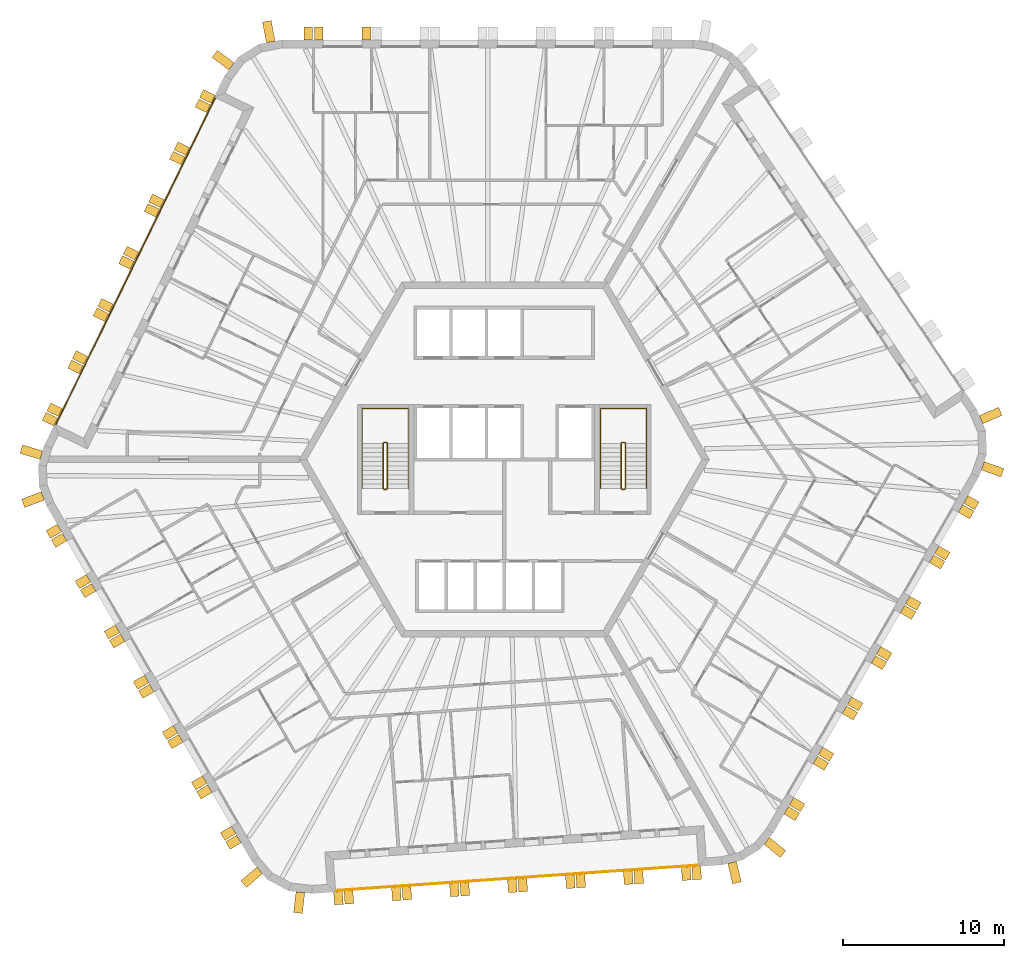
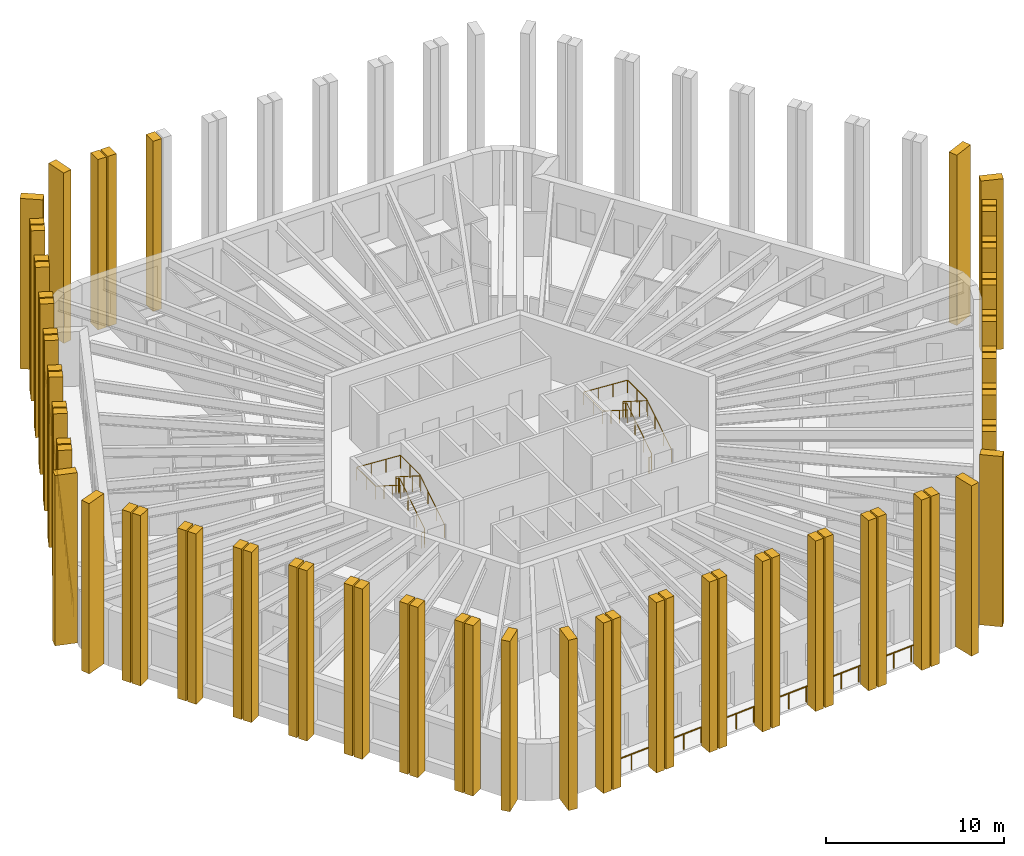
# One storey, part 12 of 13: 69 shading devices, 6 railings.
"""IFC4 building model written with IfcOpenShell, lengths in metres."""

from ifc_helpers import new_model, si_unit, direction, frame, origin, origin_2d, place, context, subcontext, project, spatial, polyline, circle, outline, extrude, material, layer, layer_set, type_object, element, save


model = new_model("IFC4")

# Units and contexts
model_context = context("Model", 3, precision=1e-05, world=origin(), true_north=direction((0.0, 1.0)))
body_context = subcontext(model_context, "Body", "Model", "MODEL_VIEW")
ifc_project = project(units=[si_unit("LENGTHUNIT", "METRE"), si_unit("AREAUNIT", "SQUARE_METRE"), si_unit("VOLUMEUNIT", "CUBIC_METRE"), si_unit("PLANEANGLEUNIT", "RADIAN"), si_unit("MASSUNIT", "GRAM", prefix="KILO")], contexts=[model_context])

# Site, building, storey
site_placement = place(None, origin())
site = spatial("IfcSite", under=ifc_project, at=site_placement, CompositionType="ELEMENT")
building_placement = place(site_placement, origin())
building = spatial("IfcBuilding", under=site, at=building_placement, Name="Tarnside Tower", CompositionType="ELEMENT")
storey_placement = place(building_placement, frame((0.0, 0.0, 279.60009765625)))
storey = spatial("IfcBuildingStorey", under=building, at=storey_placement, Name="L67", CompositionType="ELEMENT", Elevation=279.60009765625)

# Railings
ifc_material_1 = material(Name="Toughened glass", Category="glass")
railing_type_1 = type_object("IfcRailingType", Name="Glass guard 1100", PredefinedType="GUARDRAIL", material=ifc_material_1)
railing_1_placement = place(storey_placement, frame((-17.906005859375, 22.415283203125, 0.0)))
element("IfcRailing", 1, at=railing_1_placement, inside=storey, type_object=railing_type_1, Name="Loggia guard L67 F2", PredefinedType="GUARDRAIL", context=body_context, shape_type="SweptSolid", body=[
    extrude(circle(Radius=0.030029296875, at=origin_2d()), frame((0.0, 0.0, 1.070068359375), z_axis=(-0.438372639335, -0.898793318335, 0.0), x_axis=(0.898793318335, -0.438372639335, 0.0)), (0.0, 0.0, 1.0), 22.544921875),
    extrude(circle(Radius=0.02490234375, at=origin_2d()), origin(), (0.0, 0.0, 1.0), 1.0400390625),
    extrude(circle(Radius=0.02490234375, at=origin_2d()), frame((-0.520263671875, -1.06640625, 0.0)), (0.0, 0.0, 1.0), 1.0400390625),
    extrude(circle(Radius=0.02490234375, at=origin_2d()), frame((-1.040283203125, -2.133056640625, 0.0)), (0.0, 0.0, 1.0), 1.0400390625),
    extrude(circle(Radius=0.02490234375, at=origin_2d()), frame((-1.560546875, -3.199462890625, 0.0)), (0.0, 0.0, 1.0), 1.0400390625),
    extrude(circle(Radius=0.02490234375, at=origin_2d()), frame((-2.08056640625, -4.265869140625, 0.0)), (0.0, 0.0, 1.0), 1.0400390625),
    extrude(circle(Radius=0.02490234375, at=origin_2d()), frame((-2.600830078125, -5.33251953125, 0.0)), (0.0, 0.0, 1.0), 1.0400390625),
    extrude(circle(Radius=0.02490234375, at=origin_2d()), frame((-3.120849609375, -6.39892578125, 0.0)), (0.0, 0.0, 1.0), 1.0400390625),
    extrude(circle(Radius=0.02490234375, at=origin_2d()), frame((-3.64111328125, -7.46533203125, 0.0)), (0.0, 0.0, 1.0), 1.0400390625),
    extrude(circle(Radius=0.02490234375, at=origin_2d()), frame((-4.161376953125, -8.531982421875, 0.0)), (0.0, 0.0, 1.0), 1.0400390625),
    extrude(circle(Radius=0.02490234375, at=origin_2d()), frame((-4.681396484375, -9.598388671875, 0.0)), (0.0, 0.0, 1.0), 1.0400390625),
    extrude(circle(Radius=0.02490234375, at=origin_2d()), frame((-5.20166015625, -10.664794921875, 0.0)), (0.0, 0.0, 1.0), 1.0400390625),
    extrude(circle(Radius=0.02490234375, at=origin_2d()), frame((-5.7216796875, -11.731201171875, 0.0)), (0.0, 0.0, 1.0), 1.0400390625),
    extrude(circle(Radius=0.02490234375, at=origin_2d()), frame((-6.241943359375, -12.7978515625, 0.0)), (0.0, 0.0, 1.0), 1.0400390625),
    extrude(circle(Radius=0.02490234375, at=origin_2d()), frame((-6.76220703125, -13.8642578125, 0.0)), (0.0, 0.0, 1.0), 1.0400390625),
    extrude(circle(Radius=0.02490234375, at=origin_2d()), frame((-7.2822265625, -14.9306640625, 0.0)), (0.0, 0.0, 1.0), 1.0400390625),
    extrude(circle(Radius=0.02490234375, at=origin_2d()), frame((-7.802490234375, -15.997314453125, 0.0)), (0.0, 0.0, 1.0), 1.0400390625),
    extrude(circle(Radius=0.02490234375, at=origin_2d()), frame((-8.322509765625, -17.063720703125, 0.0)), (0.0, 0.0, 1.0), 1.0400390625),
    extrude(circle(Radius=0.02490234375, at=origin_2d()), frame((-8.8427734375, -18.130126953125, 0.0)), (0.0, 0.0, 1.0), 1.0400390625),
    extrude(circle(Radius=0.02490234375, at=origin_2d()), frame((-9.36279296875, -19.19677734375, 0.0)), (0.0, 0.0, 1.0), 1.0400390625),
    extrude(circle(Radius=0.02490234375, at=origin_2d()), frame((-9.883056640625, -20.26318359375, 0.0)), (0.0, 0.0, 1.0), 1.0400390625),
])
railing_2_placement = place(storey_placement, frame((-10.458984375, -26.714599609375, 0.0)))
element("IfcRailing", 2, at=railing_2_placement, inside=storey, type_object=railing_type_1, Name="Loggia guard L67 F4", PredefinedType="GUARDRAIL", context=body_context, shape_type="SweptSolid", body=[
    extrude(circle(Radius=0.030029296875, at=origin_2d()), frame((0.0, 0.0, 1.070068359375), z_axis=(0.997564440639, 0.069750890837, 0.0), x_axis=(-0.069750890837, 0.997564440639, 0.0)), (0.0, 0.0, 1.0), 22.544677734375),
    extrude(circle(Radius=0.02490234375, at=origin_2d()), origin(), (0.0, 0.0, 1.0), 1.0400390625),
    extrude(circle(Radius=0.02490234375, at=origin_2d()), frame((1.18359375, 0.082763671875, 0.0)), (0.0, 0.0, 1.0), 1.0400390625),
    extrude(circle(Radius=0.02490234375, at=origin_2d()), frame((2.367431640625, 0.16552734375, 0.0)), (0.0, 0.0, 1.0), 1.0400390625),
    extrude(circle(Radius=0.02490234375, at=origin_2d()), frame((3.551025390625, 0.248291015625, 0.0)), (0.0, 0.0, 1.0), 1.0400390625),
    extrude(circle(Radius=0.02490234375, at=origin_2d()), frame((4.734619140625, 0.3310546875, 0.0)), (0.0, 0.0, 1.0), 1.0400390625),
    extrude(circle(Radius=0.02490234375, at=origin_2d()), frame((5.91845703125, 0.413818359375, 0.0)), (0.0, 0.0, 1.0), 1.0400390625),
    extrude(circle(Radius=0.02490234375, at=origin_2d()), frame((7.10205078125, 0.49658203125, 0.0)), (0.0, 0.0, 1.0), 1.0400390625),
    extrude(circle(Radius=0.02490234375, at=origin_2d()), frame((8.28564453125, 0.579345703125, 0.0)), (0.0, 0.0, 1.0), 1.0400390625),
    extrude(circle(Radius=0.02490234375, at=origin_2d()), frame((9.469482421875, 0.662109375, 0.0)), (0.0, 0.0, 1.0), 1.0400390625),
    extrude(circle(Radius=0.02490234375, at=origin_2d()), frame((10.653076171875, 0.744873046875, 0.0)), (0.0, 0.0, 1.0), 1.0400390625),
    extrude(circle(Radius=0.02490234375, at=origin_2d()), frame((11.836669921875, 0.82763671875, 0.0)), (0.0, 0.0, 1.0), 1.0400390625),
    extrude(circle(Radius=0.02490234375, at=origin_2d()), frame((13.020263671875, 0.910400390625, 0.0)), (0.0, 0.0, 1.0), 1.0400390625),
    extrude(circle(Radius=0.02490234375, at=origin_2d()), frame((14.2041015625, 0.9931640625, 0.0)), (0.0, 0.0, 1.0), 1.0400390625),
    extrude(circle(Radius=0.02490234375, at=origin_2d()), frame((15.3876953125, 1.075927734375, 0.0)), (0.0, 0.0, 1.0), 1.0400390625),
    extrude(circle(Radius=0.02490234375, at=origin_2d()), frame((16.5712890625, 1.15869140625, 0.0)), (0.0, 0.0, 1.0), 1.0400390625),
    extrude(circle(Radius=0.02490234375, at=origin_2d()), frame((17.755126953125, 1.241455078125, 0.0)), (0.0, 0.0, 1.0), 1.0400390625),
    extrude(circle(Radius=0.02490234375, at=origin_2d()), frame((18.938720703125, 1.32421875, 0.0)), (0.0, 0.0, 1.0), 1.0400390625),
    extrude(circle(Radius=0.02490234375, at=origin_2d()), frame((20.122314453125, 1.406982421875, 0.0)), (0.0, 0.0, 1.0), 1.0400390625),
    extrude(circle(Radius=0.02490234375, at=origin_2d()), frame((21.30615234375, 1.48974609375, 0.0)), (0.0, 0.0, 1.0), 1.0400390625),
    extrude(circle(Radius=0.02490234375, at=origin_2d()), frame((22.48974609375, 1.572509765625, 0.0)), (0.0, 0.0, 1.0), 1.0400390625),
])

# Shading devices
ifc_material_2 = material(Name="Concrete C50/60 white precast", Category="concrete")
ifc_layer_1 = layer(ifc_material_2, 0.550048828125)
ifc_layer_set_1 = layer_set([ifc_layer_1], Name="Precast fin 550 x 1300")
shading_device_type_1 = type_object("IfcShadingDeviceType", Name="Precast fin 550 x 1300", PredefinedType="USERDEFINED", material=ifc_layer_set_1)
for number, where, z_axis, x_axis, name in (
    (3, (-14.4755859375, 25.8671875, -0.150146484375), (0.982720646705, 0.18509492305, 0.0), (-0.18509492305, 0.982720646705, 0.0), "Precast fin"),
    (4, (-16.903564453125, 24.349853515625, -0.150146484375), (0.597158591707, 0.802123192752, 0.0), (-0.802123192752, 0.597158591707, 0.0), "Precast fin"),
    (5, (-28.685791015625, 0.263427734375, -0.150146484375), (0.286803232717, 0.957989512314, 0.0), (-0.957989512314, 0.286803232717, 0.0), "Precast fin"),
    (6, (-28.597412109375, -2.263671875, -0.150146484375), (-0.352930564719, 0.935649515837, 0.0), (-0.935649515837, -0.352930564719, 0.0), "Precast fin"),
    (7, (-15.163818359375, -25.4697265625, -0.150146484375), (-0.651657228826, 0.758513583345, 0.0), (-0.758513583345, -0.651657228826, 0.0), "Precast fin"),
    (8, (-12.6357421875, -26.81396484375, -0.150146484375), (-0.993238357741, 0.116092914131, 0.0), (-0.116092914131, -0.993238357741, 0.0), "Precast fin"),
    (9, (14.11474609375, -24.974365234375, -0.150146484375), (-0.973044870581, -0.230615870737, 0.0), (0.230615870737, -0.973044870581, 0.0), "Precast fin"),
    (10, (16.25927734375, -23.63427734375, -0.150146484375), (-0.633830967394, -0.773471592738, 0.0), (0.773471592738, -0.633830967394, 0.0), "Precast fin"),
    (11, (29.639404296875, -0.3974609375, -0.150146484375), (-0.331063417879, -0.943608506396, 0.0), (0.943608506396, -0.331063417879, 0.0), "Precast fin"),
    (12, (29.53955078125, 2.464111328125, -0.150146484375), (0.396079766034, -0.918216106883, 0.0), (0.918216106883, 0.396079766034, 0.0), "Precast fin"),
):
    element("IfcShadingDevice", number, at=place(storey_placement, frame(where, z_axis=z_axis, x_axis=x_axis)), inside=storey, type_object=shading_device_type_1, Name=name, ObjectType="FIN", PredefinedType="USERDEFINED", context=body_context, shape_type="SweptSolid", body=[
        extrude(outline(polyline([(0.0, 0.0), (1.300048828125, 0.0), (1.300048828125, 11.699951171875), (0.0, 11.699951171875), (0.0, 0.0)])), frame((0.0, 0.0, -0.27490234375)), (0.0, 0.0, 1.0), 0.550048828125),
    ])
ifc_layer_2 = layer(ifc_material_2, 0.550048828125)
ifc_layer_set_2 = layer_set([ifc_layer_2], Name="Precast fin 550 x 800")
shading_device_type_2 = type_object("IfcShadingDeviceType", Name="Precast fin 550 x 800", PredefinedType="USERDEFINED", material=ifc_layer_set_2)
for number, where, z_axis, x_axis, name in (
    (13, (-8.5498046875, 26.0, -0.150146484375), (1.0, 0.0, 0.0), (0.0, 1.0, 0.0), "Precast fin"),
    (14, (-11.499755859375, 26.0, -0.150146484375), (1.0, 0.0, 0.0), (0.0, 1.0, 0.0), "Precast fin"),
    (15, (-12.14990234375, 26.0, -0.150146484375), (1.0, 0.0, 0.0), (0.0, 1.0, 0.0), "Precast fin"),
    (16, (-18.04248046875, 22.31787109375, -0.150146484375), (0.438371146789, 0.898794046299, 0.0), (-0.898794046299, 0.438371146789, 0.0), "Precast fin"),
    (17, (-18.327392578125, 21.733642578125, -0.150146484375), (0.438371146789, 0.898794046299, 0.0), (-0.898794046299, 0.438371146789, 0.0), "Precast fin"),
    (18, (-19.62060546875, 19.08203125, -0.150146484375), (0.438371146789, 0.898794046299, 0.0), (-0.898794046299, 0.438371146789, 0.0), "Precast fin"),
    (19, (-19.905517578125, 18.497802734375, -0.150146484375), (0.438371146789, 0.898794046299, 0.0), (-0.898794046299, 0.438371146789, 0.0), "Precast fin"),
    (20, (-21.19873046875, 15.846435546875, -0.150146484375), (0.438371146789, 0.898794046299, 0.0), (-0.898794046299, 0.438371146789, 0.0), "Precast fin"),
    (21, (-21.48388671875, 15.26220703125, -0.150146484375), (0.438371146789, 0.898794046299, 0.0), (-0.898794046299, 0.438371146789, 0.0), "Precast fin"),
    (22, (-22.77685546875, 12.61083984375, -0.150146484375), (0.438371146789, 0.898794046299, 0.0), (-0.898794046299, 0.438371146789, 0.0), "Precast fin"),
    (23, (-23.06201171875, 12.026611328125, -0.150146484375), (0.438371146789, 0.898794046299, 0.0), (-0.898794046299, 0.438371146789, 0.0), "Precast fin"),
    (24, (-24.35498046875, 9.375, -0.150146484375), (0.438371146789, 0.898794046299, 0.0), (-0.898794046299, 0.438371146789, 0.0), "Precast fin"),
    (25, (-24.64013671875, 8.791015625, -0.150146484375), (0.438371146789, 0.898794046299, 0.0), (-0.898794046299, 0.438371146789, 0.0), "Precast fin"),
    (26, (-25.933349609375, 6.139404296875, -0.150146484375), (0.438371146789, 0.898794046299, 0.0), (-0.898794046299, 0.438371146789, 0.0), "Precast fin"),
    (27, (-26.21826171875, 5.55517578125, -0.150146484375), (0.438371146789, 0.898794046299, 0.0), (-0.898794046299, 0.438371146789, 0.0), "Precast fin"),
    (28, (-27.511474609375, 2.90380859375, -0.150146484375), (0.438371146789, 0.898794046299, 0.0), (-0.898794046299, 0.438371146789, 0.0), "Precast fin"),
    (29, (-27.79638671875, 2.319580078125, -0.150146484375), (0.438371146789, 0.898794046299, 0.0), (-0.898794046299, 0.438371146789, 0.0), "Precast fin"),
    (30, (-27.566650390625, -4.2529296875, -0.150146484375), (-0.5, 0.866025403784, 0.0), (-0.866025403784, -0.5, 0.0), "Precast fin"),
    (31, (-27.24169921875, -4.81591796875, -0.150146484375), (-0.5, 0.866025403784, 0.0), (-0.866025403784, -0.5, 0.0), "Precast fin"),
    (32, (-25.766845703125, -7.37060546875, -0.150146484375), (-0.5, 0.866025403784, 0.0), (-0.866025403784, -0.5, 0.0), "Precast fin"),
    (33, (-25.441650390625, -7.93359375, -0.150146484375), (-0.5, 0.866025403784, 0.0), (-0.866025403784, -0.5, 0.0), "Precast fin"),
    (34, (-23.966796875, -10.48828125, -0.150146484375), (-0.5, 0.866025403784, 0.0), (-0.866025403784, -0.5, 0.0), "Precast fin"),
    (35, (-23.641845703125, -11.05126953125, -0.150146484375), (-0.5, 0.866025403784, 0.0), (-0.866025403784, -0.5, 0.0), "Precast fin"),
    (36, (-22.166748046875, -13.60595703125, -0.150146484375), (-0.5, 0.866025403784, 0.0), (-0.866025403784, -0.5, 0.0), "Precast fin"),
    (37, (-21.841796875, -14.1689453125, -0.150146484375), (-0.5, 0.866025403784, 0.0), (-0.866025403784, -0.5, 0.0), "Precast fin"),
    (38, (-20.36669921875, -16.7236328125, -0.150146484375), (-0.5, 0.866025403784, 0.0), (-0.866025403784, -0.5, 0.0), "Precast fin"),
    (39, (-20.041748046875, -17.28662109375, -0.150146484375), (-0.5, 0.866025403784, 0.0), (-0.866025403784, -0.5, 0.0), "Precast fin"),
    (40, (-18.566650390625, -19.84130859375, -0.150146484375), (-0.5, 0.866025403784, 0.0), (-0.866025403784, -0.5, 0.0), "Precast fin"),
    (41, (-18.24169921875, -20.404296875, -0.150146484375), (-0.5, 0.866025403784, 0.0), (-0.866025403784, -0.5, 0.0), "Precast fin"),
    (42, (-16.766845703125, -22.959228515625, -0.150146484375), (-0.5, 0.866025403784, 0.0), (-0.866025403784, -0.5, 0.0), "Precast fin"),
    (43, (-16.441650390625, -23.52197265625, -0.150146484375), (-0.5, 0.866025403784, 0.0), (-0.866025403784, -0.5, 0.0), "Precast fin"),
    (44, (-10.306396484375, -26.7841796875, -0.150146484375), (-0.99756405026, -0.069756473744, 0.0), (0.069756473744, -0.99756405026, 0.0), "Precast fin"),
    (45, (-9.657958984375, -26.73876953125, -0.150146484375), (-0.99756405026, -0.069756473744, 0.0), (0.069756473744, -0.99756405026, 0.0), "Precast fin"),
    (46, (-6.71533203125, -26.532958984375, -0.150146484375), (-0.99756405026, -0.069756473744, 0.0), (0.069756473744, -0.99756405026, 0.0), "Precast fin"),
    (47, (-6.06689453125, -26.48779296875, -0.150146484375), (-0.99756405026, -0.069756473744, 0.0), (0.069756473744, -0.99756405026, 0.0), "Precast fin"),
    (48, (-3.1240234375, -26.281982421875, -0.150146484375), (-0.99756405026, -0.069756473744, 0.0), (0.069756473744, -0.99756405026, 0.0), "Precast fin"),
    (49, (-2.4755859375, -26.236572265625, -0.150146484375), (-0.99756405026, -0.069756473744, 0.0), (0.069756473744, -0.99756405026, 0.0), "Precast fin"),
    (50, (0.46728515625, -26.03076171875, -0.150146484375), (-0.99756405026, -0.069756473744, 0.0), (0.069756473744, -0.99756405026, 0.0), "Precast fin"),
    (51, (1.11572265625, -25.985595703125, -0.150146484375), (-0.99756405026, -0.069756473744, 0.0), (0.069756473744, -0.99756405026, 0.0), "Precast fin"),
    (52, (4.058349609375, -25.77978515625, -0.150146484375), (-0.99756405026, -0.069756473744, 0.0), (0.069756473744, -0.99756405026, 0.0), "Precast fin"),
    (53, (4.706787109375, -25.734375, -0.150146484375), (-0.99756405026, -0.069756473744, 0.0), (0.069756473744, -0.99756405026, 0.0), "Precast fin"),
    (54, (7.649658203125, -25.528564453125, -0.150146484375), (-0.99756405026, -0.069756473744, 0.0), (0.069756473744, -0.99756405026, 0.0), "Precast fin"),
    (55, (8.298095703125, -25.483154296875, -0.150146484375), (-0.99756405026, -0.069756473744, 0.0), (0.069756473744, -0.99756405026, 0.0), "Precast fin"),
    (56, (11.240966796875, -25.27734375, -0.150146484375), (-0.99756405026, -0.069756473744, 0.0), (0.069756473744, -0.99756405026, 0.0), "Precast fin"),
    (57, (11.889404296875, -25.232177734375, -0.150146484375), (-0.99756405026, -0.069756473744, 0.0), (0.069756473744, -0.99756405026, 0.0), "Precast fin"),
    (58, (17.466552734375, -21.7470703125, -0.150146484375), (-0.5, -0.866025403784, 0.0), (0.866025403784, -0.5, 0.0), "Precast fin"),
    (59, (17.79150390625, -21.18408203125, -0.150146484375), (-0.5, -0.866025403784, 0.0), (0.866025403784, -0.5, 0.0), "Precast fin"),
    (60, (19.2666015625, -18.62939453125, -0.150146484375), (-0.5, -0.866025403784, 0.0), (0.866025403784, -0.5, 0.0), "Precast fin"),
    (61, (19.591552734375, -18.06640625, -0.150146484375), (-0.5, -0.866025403784, 0.0), (0.866025403784, -0.5, 0.0), "Precast fin"),
    (62, (21.066650390625, -15.51171875, -0.150146484375), (-0.5, -0.866025403784, 0.0), (0.866025403784, -0.5, 0.0), "Precast fin"),
    (63, (21.3916015625, -14.94873046875, -0.150146484375), (-0.5, -0.866025403784, 0.0), (0.866025403784, -0.5, 0.0), "Precast fin"),
    (64, (22.866455078125, -12.39404296875, -0.150146484375), (-0.5, -0.866025403784, 0.0), (0.866025403784, -0.5, 0.0), "Precast fin"),
    (65, (23.191650390625, -11.8310546875, -0.150146484375), (-0.5, -0.866025403784, 0.0), (0.866025403784, -0.5, 0.0), "Precast fin"),
    (66, (24.66650390625, -9.2763671875, -0.150146484375), (-0.5, -0.866025403784, 0.0), (0.866025403784, -0.5, 0.0), "Precast fin"),
    (67, (24.991455078125, -8.71337890625, -0.150146484375), (-0.5, -0.866025403784, 0.0), (0.866025403784, -0.5, 0.0), "Precast fin"),
    (68, (26.466552734375, -6.15869140625, -0.150146484375), (-0.5, -0.866025403784, 0.0), (0.866025403784, -0.5, 0.0), "Precast fin"),
    (69, (26.79150390625, -5.595703125, -0.150146484375), (-0.5, -0.866025403784, 0.0), (0.866025403784, -0.5, 0.0), "Precast fin"),
    (70, (28.2666015625, -3.040771484375, -0.150146484375), (-0.5, -0.866025403784, 0.0), (0.866025403784, -0.5, 0.0), "Precast fin"),
    (71, (28.591552734375, -2.47802734375, -0.150146484375), (-0.5, -0.866025403784, 0.0), (0.866025403784, -0.5, 0.0), "Precast fin"),
):
    element("IfcShadingDevice", number, at=place(storey_placement, frame(where, z_axis=z_axis, x_axis=x_axis)), inside=storey, type_object=shading_device_type_2, Name=name, ObjectType="FIN", PredefinedType="USERDEFINED", context=body_context, shape_type="SweptSolid", body=[
        extrude(outline(polyline([(0.0, 0.0), (0.800048828125, 0.0), (0.800048828125, 11.699951171875), (0.0, 11.699951171875), (0.0, 0.0)])), frame((0.0, 0.0, -0.27490234375)), (0.0, 0.0, 1.0), 0.550048828125),
    ])

# Railings
ifc_material_3 = material(Name="Stainless steel", Category="steel")
railing_type_2 = type_object("IfcRailingType", Name="Stair guard 1100", PredefinedType="GUARDRAIL", material=ifc_material_3)
railing_3_placement = place(storey_placement, frame((7.300048828125, -1.85009765625, 0.0)))
element("IfcRailing", 72, at=railing_3_placement, inside=storey, type_object=railing_type_2, Name="L67 ST1 stair guard 1", PredefinedType="GUARDRAIL", context=body_context, shape_type="SweptSolid", body=[
    extrude(circle(Radius=0.02392578125, at=origin_2d()), frame((0.0, 0.0, 1.076171875), z_axis=(1.0, 0.0, 0.0), x_axis=(0.0, 1.0, 0.0)), (0.0, 0.0, 1.0), 0.14990234375),
    extrude(circle(Radius=0.02392578125, at=origin_2d()), frame((0.14990234375, 0.0, 1.076171875), z_axis=(0.262233686654, 0.262233686654, 0.928691007369), x_axis=(-0.707106781187, 0.707106781187, 0.0)), (0.0, 0.0, 1.0), 0.19091796875),
    extrude(circle(Radius=0.02392578125, at=origin_2d()), frame((0.199951171875, 0.050048828125, 1.25341796875), z_axis=(0.0, 0.844908973607, 0.534910110503), x_axis=(-1.0, 0.0, 0.0)), (0.0, 0.0, 1.0), 3.31396484375),
    extrude(circle(Radius=0.02392578125, at=origin_2d()), frame((0.199951171875, 2.85009765625, 3.02587890625), z_axis=(-0.707106781187, 0.707106781187, 0.0), x_axis=(-0.707106781187, -0.707106781187, 0.0)), (0.0, 0.0, 1.0), 0.07080078125),
    extrude(circle(Radius=0.02392578125, at=origin_2d()), frame((0.14990234375, 2.900146484375, 3.02587890625), z_axis=(-1.0, 0.0, 0.0), x_axis=(0.0, -1.0, 0.0)), (0.0, 0.0, 1.0), 0.14990234375),
    extrude(circle(Radius=0.02392578125, at=origin_2d()), frame((0.0, 2.900146484375, 3.02587890625), z_axis=(-0.262233686654, -0.262233686654, 0.928691007369), x_axis=(0.707106781187, -0.707106781187, 0.0)), (0.0, 0.0, 1.0), 0.19091796875),
    extrude(circle(Radius=0.02392578125, at=origin_2d()), frame((-0.050048828125, 2.85009765625, 3.203125), z_axis=(0.0, -0.844908973607, 0.534910110503), x_axis=(1.0, 0.0, 0.0)), (0.0, 0.0, 1.0), 3.31396484375),
    extrude(circle(Radius=0.02099609375, at=origin_2d()), origin(), (0.0, 0.0, 1.0), 1.052001953125),
    extrude(circle(Radius=0.02099609375, at=origin_2d()), frame((0.14990234375, 0.0, 0.0)), (0.0, 0.0, 1.0), 1.052001953125),
    extrude(circle(Radius=0.02099609375, at=origin_2d()), frame((0.199951171875, 0.050048828125, 0.17724609375)), (0.0, 0.0, 1.0), 1.052001953125),
    extrude(circle(Radius=0.02099609375, at=origin_2d()), frame((0.199951171875, 0.9833984375, 0.76806640625)), (0.0, 0.0, 1.0), 1.052001953125),
    extrude(circle(Radius=0.02099609375, at=origin_2d()), frame((0.199951171875, 1.916748046875, 1.359130859375)), (0.0, 0.0, 1.0), 1.052001953125),
    extrude(circle(Radius=0.02099609375, at=origin_2d()), frame((0.199951171875, 2.85009765625, 1.949951171875)), (0.0, 0.0, 1.0), 1.052001953125),
    extrude(circle(Radius=0.02099609375, at=origin_2d()), frame((0.14990234375, 2.900146484375, 1.949951171875)), (0.0, 0.0, 1.0), 1.052001953125),
    extrude(circle(Radius=0.02099609375, at=origin_2d()), frame((0.0, 2.900146484375, 1.949951171875)), (0.0, 0.0, 1.0), 1.052001953125),
    extrude(circle(Radius=0.02099609375, at=origin_2d()), frame((-0.050048828125, 2.85009765625, 2.127197265625)), (0.0, 0.0, 1.0), 1.052001953125),
    extrude(circle(Radius=0.02099609375, at=origin_2d()), frame((-0.050048828125, 1.916748046875, 2.718017578125)), (0.0, 0.0, 1.0), 1.052001953125),
    extrude(circle(Radius=0.02099609375, at=origin_2d()), frame((-0.050048828125, 0.9833984375, 3.30908203125)), (0.0, 0.0, 1.0), 1.052001953125),
    extrude(circle(Radius=0.02099609375, at=origin_2d()), frame((-0.050048828125, 0.050048828125, 3.89990234375)), (0.0, 0.0, 1.0), 1.052001953125),
])
railing_4_placement = place(storey_placement, frame((-7.449951171875, -1.85009765625, 0.0)))
element("IfcRailing", 73, at=railing_4_placement, inside=storey, type_object=railing_type_2, Name="L67 ST2 stair guard 1", PredefinedType="GUARDRAIL", context=body_context, shape_type="SweptSolid", body=[
    extrude(circle(Radius=0.02392578125, at=origin_2d()), frame((0.0, 0.0, 1.076171875), z_axis=(1.0, 0.0, 0.0), x_axis=(0.0, 1.0, 0.0)), (0.0, 0.0, 1.0), 0.14990234375),
    extrude(circle(Radius=0.02392578125, at=origin_2d()), frame((0.14990234375, 0.0, 1.076171875), z_axis=(0.262233686654, 0.262233686654, 0.928691007369), x_axis=(-0.707106781187, 0.707106781187, 0.0)), (0.0, 0.0, 1.0), 0.19091796875),
    extrude(circle(Radius=0.02392578125, at=origin_2d()), frame((0.199951171875, 0.050048828125, 1.25341796875), z_axis=(0.0, 0.844908973607, 0.534910110503), x_axis=(-1.0, 0.0, 0.0)), (0.0, 0.0, 1.0), 3.31396484375),
    extrude(circle(Radius=0.02392578125, at=origin_2d()), frame((0.199951171875, 2.85009765625, 3.02587890625), z_axis=(-0.707106781187, 0.707106781187, 0.0), x_axis=(-0.707106781187, -0.707106781187, 0.0)), (0.0, 0.0, 1.0), 0.07080078125),
    extrude(circle(Radius=0.02392578125, at=origin_2d()), frame((0.14990234375, 2.900146484375, 3.02587890625), z_axis=(-1.0, 0.0, 0.0), x_axis=(0.0, -1.0, 0.0)), (0.0, 0.0, 1.0), 0.14990234375),
    extrude(circle(Radius=0.02392578125, at=origin_2d()), frame((0.0, 2.900146484375, 3.02587890625), z_axis=(-0.262233686654, -0.262233686654, 0.928691007369), x_axis=(0.707106781187, -0.707106781187, 0.0)), (0.0, 0.0, 1.0), 0.19091796875),
    extrude(circle(Radius=0.02392578125, at=origin_2d()), frame((-0.050048828125, 2.85009765625, 3.203125), z_axis=(0.0, -0.844908973607, 0.534910110503), x_axis=(1.0, 0.0, 0.0)), (0.0, 0.0, 1.0), 3.31396484375),
    extrude(circle(Radius=0.02099609375, at=origin_2d()), origin(), (0.0, 0.0, 1.0), 1.052001953125),
    extrude(circle(Radius=0.02099609375, at=origin_2d()), frame((0.14990234375, 0.0, 0.0)), (0.0, 0.0, 1.0), 1.052001953125),
    extrude(circle(Radius=0.02099609375, at=origin_2d()), frame((0.199951171875, 0.050048828125, 0.17724609375)), (0.0, 0.0, 1.0), 1.052001953125),
    extrude(circle(Radius=0.02099609375, at=origin_2d()), frame((0.199951171875, 0.9833984375, 0.76806640625)), (0.0, 0.0, 1.0), 1.052001953125),
    extrude(circle(Radius=0.02099609375, at=origin_2d()), frame((0.199951171875, 1.916748046875, 1.359130859375)), (0.0, 0.0, 1.0), 1.052001953125),
    extrude(circle(Radius=0.02099609375, at=origin_2d()), frame((0.199951171875, 2.85009765625, 1.949951171875)), (0.0, 0.0, 1.0), 1.052001953125),
    extrude(circle(Radius=0.02099609375, at=origin_2d()), frame((0.14990234375, 2.900146484375, 1.949951171875)), (0.0, 0.0, 1.0), 1.052001953125),
    extrude(circle(Radius=0.02099609375, at=origin_2d()), frame((0.0, 2.900146484375, 1.949951171875)), (0.0, 0.0, 1.0), 1.052001953125),
    extrude(circle(Radius=0.02099609375, at=origin_2d()), frame((-0.050048828125, 2.85009765625, 2.127197265625)), (0.0, 0.0, 1.0), 1.052001953125),
    extrude(circle(Radius=0.02099609375, at=origin_2d()), frame((-0.050048828125, 1.916748046875, 2.718017578125)), (0.0, 0.0, 1.0), 1.052001953125),
    extrude(circle(Radius=0.02099609375, at=origin_2d()), frame((-0.050048828125, 0.9833984375, 3.30908203125)), (0.0, 0.0, 1.0), 1.052001953125),
    extrude(circle(Radius=0.02099609375, at=origin_2d()), frame((-0.050048828125, 0.050048828125, 3.89990234375)), (0.0, 0.0, 1.0), 1.052001953125),
])
railing_type_3 = type_object("IfcRailingType", Name="Stair handrail 900", PredefinedType="HANDRAIL", material=ifc_material_3)
railing_5_placement = place(storey_placement, frame((8.800048828125, -1.800048828125, 0.17724609375)))
element("IfcRailing", 74, at=railing_5_placement, inside=storey, type_object=railing_type_3, Name="L67 ST1 stair handrail 1", PredefinedType="HANDRAIL", context=body_context, shape_type="SweptSolid", body=[
    extrude(circle(Radius=0.02392578125, at=origin_2d()), frame((0.0, 0.0, 0.8857421875), z_axis=(0.0, 0.844908973607, 0.534910110503), x_axis=(-1.0, 0.0, 0.0)), (0.0, 0.0, 1.0), 3.31396484375),
    extrude(circle(Radius=0.02392578125, at=origin_2d()), frame((0.0, 2.800048828125, 2.65869140625), z_axis=(0.0, 1.0, 0.0), x_axis=(-1.0, 0.0, 0.0)), (0.0, 0.0, 1.0), 2.14990234375),
    extrude(circle(Radius=0.02392578125, at=origin_2d()), frame((0.0, 4.949951171875, 2.65869140625), z_axis=(-0.998071825391, 0.0, 0.06206956872), x_axis=(0.0, -1.0, 0.0)), (0.0, 0.0, 1.0), 2.855712890625),
    extrude(circle(Radius=0.02392578125, at=origin_2d()), frame((-2.85009765625, 4.949951171875, 2.8359375), z_axis=(0.0, -1.0, 0.0), x_axis=(1.0, 0.0, 0.0)), (0.0, 0.0, 1.0), 2.14990234375),
    extrude(circle(Radius=0.02392578125, at=origin_2d()), frame((-2.85009765625, 2.800048828125, 2.8359375), z_axis=(0.0, -0.844908973607, 0.534910110503), x_axis=(1.0, 0.0, 0.0)), (0.0, 0.0, 1.0), 3.31396484375),
    extrude(circle(Radius=0.02099609375, at=origin_2d()), origin(), (0.0, 0.0, 1.0), 0.86181640625),
    extrude(circle(Radius=0.02099609375, at=origin_2d()), frame((0.0, 0.933349609375, 0.5908203125)), (0.0, 0.0, 1.0), 0.86181640625),
    extrude(circle(Radius=0.02099609375, at=origin_2d()), frame((0.0, 1.86669921875, 1.181884765625)), (0.0, 0.0, 1.0), 0.86181640625),
    extrude(circle(Radius=0.02099609375, at=origin_2d()), frame((0.0, 2.800048828125, 1.772705078125)), (0.0, 0.0, 1.0), 0.86181640625),
    extrude(circle(Radius=0.02099609375, at=origin_2d()), frame((0.0, 3.875, 1.772705078125)), (0.0, 0.0, 1.0), 0.86181640625),
    extrude(circle(Radius=0.02099609375, at=origin_2d()), frame((0.0, 4.949951171875, 1.772705078125)), (0.0, 0.0, 1.0), 0.86181640625),
    extrude(circle(Radius=0.02099609375, at=origin_2d()), frame((-0.949951171875, 4.949951171875, 1.831787109375)), (0.0, 0.0, 1.0), 0.86181640625),
    extrude(circle(Radius=0.02099609375, at=origin_2d()), frame((-1.900146484375, 4.949951171875, 1.890869140625)), (0.0, 0.0, 1.0), 0.86181640625),
    extrude(circle(Radius=0.02099609375, at=origin_2d()), frame((-2.85009765625, 4.949951171875, 1.949951171875)), (0.0, 0.0, 1.0), 0.86181640625),
    extrude(circle(Radius=0.02099609375, at=origin_2d()), frame((-2.85009765625, 3.875, 1.949951171875)), (0.0, 0.0, 1.0), 0.86181640625),
    extrude(circle(Radius=0.02099609375, at=origin_2d()), frame((-2.85009765625, 2.800048828125, 1.949951171875)), (0.0, 0.0, 1.0), 0.86181640625),
    extrude(circle(Radius=0.02099609375, at=origin_2d()), frame((-2.85009765625, 1.86669921875, 2.540771484375)), (0.0, 0.0, 1.0), 0.86181640625),
    extrude(circle(Radius=0.02099609375, at=origin_2d()), frame((-2.85009765625, 0.933349609375, 3.1318359375)), (0.0, 0.0, 1.0), 0.86181640625),
    extrude(circle(Radius=0.02099609375, at=origin_2d()), frame((-2.85009765625, 0.0, 3.72265625)), (0.0, 0.0, 1.0), 0.86181640625),
])
railing_6_placement = place(storey_placement, frame((-5.949951171875, -1.800048828125, 0.17724609375)))
element("IfcRailing", 75, at=railing_6_placement, inside=storey, type_object=railing_type_3, Name="L67 ST2 stair handrail 1", PredefinedType="HANDRAIL", context=body_context, shape_type="SweptSolid", body=[
    extrude(circle(Radius=0.02392578125, at=origin_2d()), frame((0.0, 0.0, 0.8857421875), z_axis=(0.0, 0.844908973607, 0.534910110503), x_axis=(-1.0, 0.0, 0.0)), (0.0, 0.0, 1.0), 3.31396484375),
    extrude(circle(Radius=0.02392578125, at=origin_2d()), frame((0.0, 2.800048828125, 2.65869140625), z_axis=(0.0, 1.0, 0.0), x_axis=(-1.0, 0.0, 0.0)), (0.0, 0.0, 1.0), 2.14990234375),
    extrude(circle(Radius=0.02392578125, at=origin_2d()), frame((0.0, 4.949951171875, 2.65869140625), z_axis=(-0.998071825391, 0.0, 0.06206956872), x_axis=(0.0, -1.0, 0.0)), (0.0, 0.0, 1.0), 2.855712890625),
    extrude(circle(Radius=0.02392578125, at=origin_2d()), frame((-2.85009765625, 4.949951171875, 2.8359375), z_axis=(0.0, -1.0, 0.0), x_axis=(1.0, 0.0, 0.0)), (0.0, 0.0, 1.0), 2.14990234375),
    extrude(circle(Radius=0.02392578125, at=origin_2d()), frame((-2.85009765625, 2.800048828125, 2.8359375), z_axis=(0.0, -0.844908973607, 0.534910110503), x_axis=(1.0, 0.0, 0.0)), (0.0, 0.0, 1.0), 3.31396484375),
    extrude(circle(Radius=0.02099609375, at=origin_2d()), origin(), (0.0, 0.0, 1.0), 0.86181640625),
    extrude(circle(Radius=0.02099609375, at=origin_2d()), frame((0.0, 0.933349609375, 0.5908203125)), (0.0, 0.0, 1.0), 0.86181640625),
    extrude(circle(Radius=0.02099609375, at=origin_2d()), frame((0.0, 1.86669921875, 1.181884765625)), (0.0, 0.0, 1.0), 0.86181640625),
    extrude(circle(Radius=0.02099609375, at=origin_2d()), frame((0.0, 2.800048828125, 1.772705078125)), (0.0, 0.0, 1.0), 0.86181640625),
    extrude(circle(Radius=0.02099609375, at=origin_2d()), frame((0.0, 3.875, 1.772705078125)), (0.0, 0.0, 1.0), 0.86181640625),
    extrude(circle(Radius=0.02099609375, at=origin_2d()), frame((0.0, 4.949951171875, 1.772705078125)), (0.0, 0.0, 1.0), 0.86181640625),
    extrude(circle(Radius=0.02099609375, at=origin_2d()), frame((-0.949951171875, 4.949951171875, 1.831787109375)), (0.0, 0.0, 1.0), 0.86181640625),
    extrude(circle(Radius=0.02099609375, at=origin_2d()), frame((-1.900146484375, 4.949951171875, 1.890869140625)), (0.0, 0.0, 1.0), 0.86181640625),
    extrude(circle(Radius=0.02099609375, at=origin_2d()), frame((-2.85009765625, 4.949951171875, 1.949951171875)), (0.0, 0.0, 1.0), 0.86181640625),
    extrude(circle(Radius=0.02099609375, at=origin_2d()), frame((-2.85009765625, 3.875, 1.949951171875)), (0.0, 0.0, 1.0), 0.86181640625),
    extrude(circle(Radius=0.02099609375, at=origin_2d()), frame((-2.85009765625, 2.800048828125, 1.949951171875)), (0.0, 0.0, 1.0), 0.86181640625),
    extrude(circle(Radius=0.02099609375, at=origin_2d()), frame((-2.85009765625, 1.86669921875, 2.540771484375)), (0.0, 0.0, 1.0), 0.86181640625),
    extrude(circle(Radius=0.02099609375, at=origin_2d()), frame((-2.85009765625, 0.933349609375, 3.1318359375)), (0.0, 0.0, 1.0), 0.86181640625),
    extrude(circle(Radius=0.02099609375, at=origin_2d()), frame((-2.85009765625, 0.0, 3.72265625)), (0.0, 0.0, 1.0), 0.86181640625),
])

save(model, "model.ifc")
